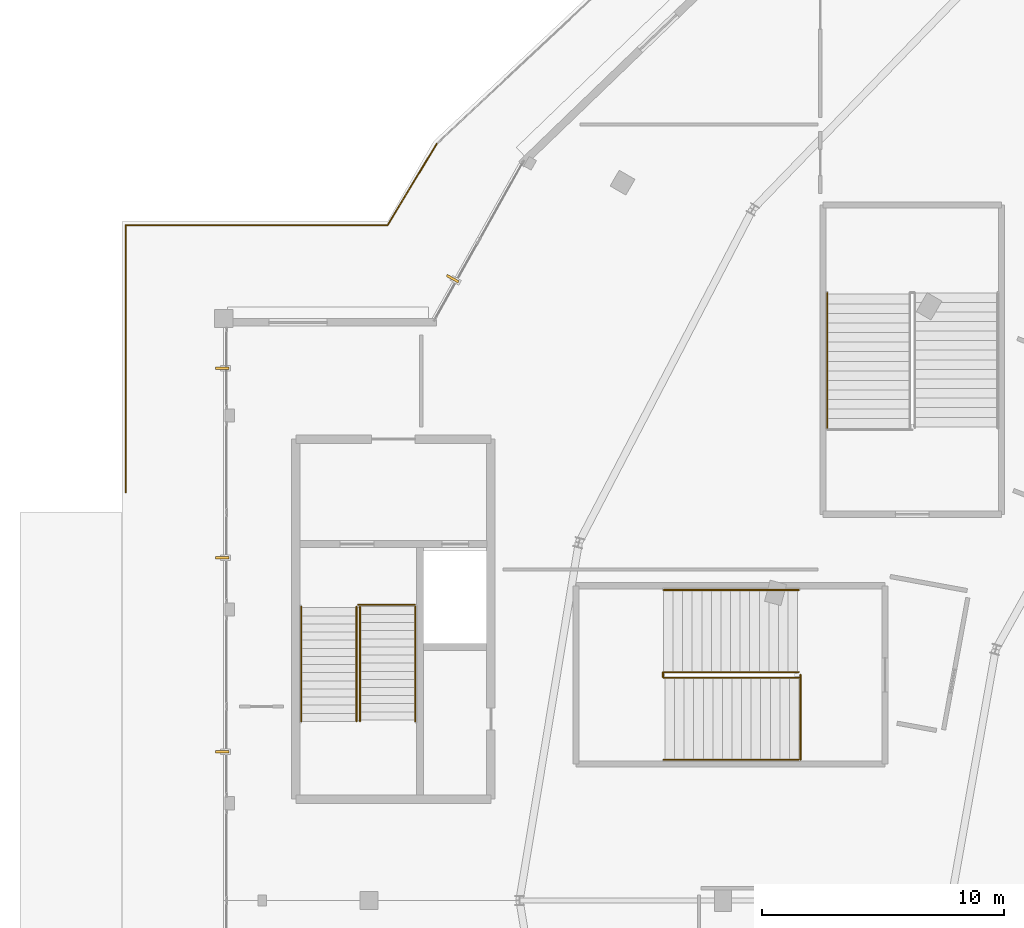
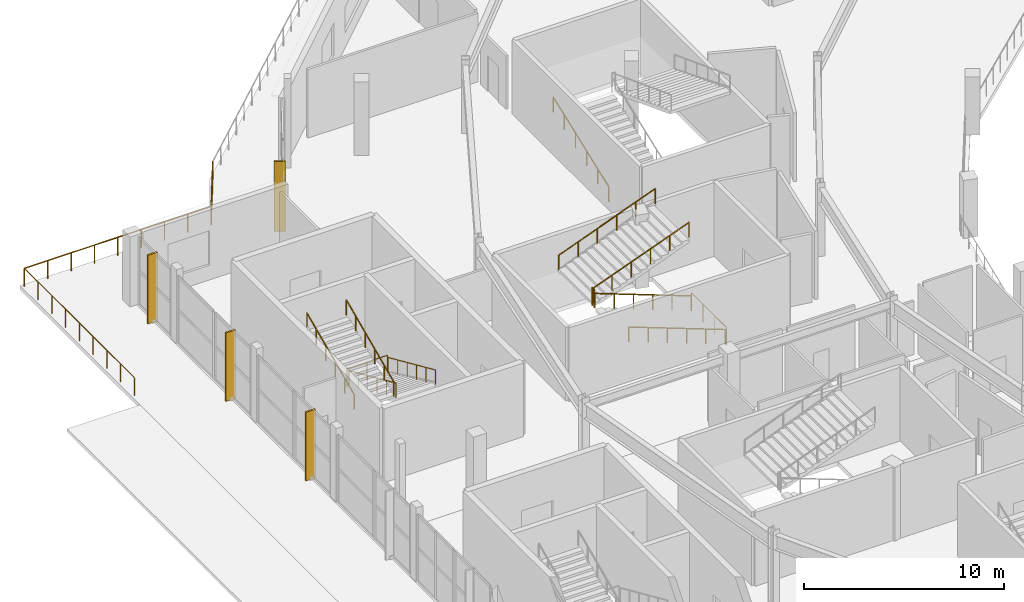
# One storey, part 111 of 123: 15 railings, 4 shading devices.
"""IFC4 building model written with IfcOpenShell, lengths in metres."""

from ifc_helpers import new_model, si_unit, direction, frame, origin, origin_2d, place, context, subcontext, project, spatial, rectangle, circle, extrude, material, layer, layer_set, type_object, element, save


model = new_model("IFC4")

# Units and contexts
model_context = context("Model", 3, precision=1e-05, world=origin(), true_north=direction((0.0, 1.0)))
body_context = subcontext(model_context, "Body", "Model", "MODEL_VIEW")
ifc_project = project(units=[si_unit("LENGTHUNIT", "METRE"), si_unit("AREAUNIT", "SQUARE_METRE"), si_unit("VOLUMEUNIT", "CUBIC_METRE"), si_unit("PLANEANGLEUNIT", "RADIAN"), si_unit("MASSUNIT", "GRAM", prefix="KILO")], contexts=[model_context])

# Site, building, storey
site_placement = place(None, origin())
site = spatial("IfcSite", under=ifc_project, at=site_placement, CompositionType="ELEMENT")
building_placement = place(site_placement, origin())
building = spatial("IfcBuilding", under=site, at=building_placement, Name="Kalgoora Escarpment Arena", CompositionType="ELEMENT")
storey_placement = place(building_placement, frame((0.0, 0.0, 9.89990234375)))
storey = spatial("IfcBuildingStorey", under=building, at=storey_placement, Name="L02", CompositionType="ELEMENT", Elevation=9.89990234375)

# Railings
ifc_material_1 = material(Name="Galvanised & powdercoated tubular steel", Category="steel")
railing_type_1 = type_object("IfcRailingType", Name="RAL-GUARD-1120", PredefinedType="GUARDRAIL", material=ifc_material_1)
railing_1_placement = place(storey_placement, frame((16.2900390625, 76.18994140625, 0.0)))
element("IfcRailing", 1, at=railing_1_placement, inside=storey, type_object=railing_type_1, Name="ST01 L02 floor landing well guard", PredefinedType="GUARDRAIL", context=body_context, shape_type="SweptSolid", body=[
    extrude(circle(Radius=0.02392578125, at=origin_2d()), frame((0.0, 0.0, 1.09619140625), z_axis=(-1.0, 0.0, 0.0), x_axis=(0.0, -1.0, 0.0)), (0.0, 0.0, 1.0), 2.340087890625),
    extrude(circle(Radius=0.02099609375, at=origin_2d()), origin(), (0.0, 0.0, 1.0), 1.072021484375),
    extrude(circle(Radius=0.02099609375, at=origin_2d()), frame((-1.169921875, 0.0, 0.0)), (0.0, 0.0, 1.0), 1.072021484375),
    extrude(circle(Radius=0.02099609375, at=origin_2d()), frame((-2.340087890625, 0.0, 0.0)), (0.0, 0.0, 1.0), 1.072021484375),
])
railing_2_placement = place(storey_placement, frame((26.52001953125, 73.195068359375, 2.25)))
element("IfcRailing", 2, at=railing_2_placement, inside=storey, type_object=railing_type_1, Name="ST17 L02 half-landing well guard", PredefinedType="GUARDRAIL", context=body_context, shape_type="SweptSolid", body=[
    extrude(circle(Radius=0.02392578125, at=origin_2d()), frame((0.0, 0.0, 1.09619140625), z_axis=(0.0, 1.0, 0.0), x_axis=(-1.0, 0.0, 0.0)), (0.0, 0.0, 1.0), 0.2099609375),
    extrude(circle(Radius=0.02099609375, at=origin_2d()), origin(), (0.0, 0.0, 1.0), 1.072021484375),
    extrude(circle(Radius=0.02099609375, at=origin_2d()), frame((0.0, 0.2099609375, 0.0)), (0.0, 0.0, 1.0), 1.072021484375),
])
railing_3_placement = place(storey_placement, frame((32.18994140625, 69.81005859375, 0.0)))
element("IfcRailing", 3, at=railing_3_placement, inside=storey, type_object=railing_type_1, Name="ST17 L02 floor landing well guard", PredefinedType="GUARDRAIL", context=body_context, shape_type="SweptSolid", body=[
    extrude(circle(Radius=0.02392578125, at=origin_2d()), frame((0.0, 0.0, 1.09619140625), z_axis=(0.0, 1.0, 0.0), x_axis=(-1.0, 0.0, 0.0)), (0.0, 0.0, 1.0), 3.489990234375),
    extrude(circle(Radius=0.02099609375, at=origin_2d()), origin(), (0.0, 0.0, 1.0), 1.072021484375),
    extrude(circle(Radius=0.02099609375, at=origin_2d()), frame((0.0, 1.163330078125, 0.0)), (0.0, 0.0, 1.0), 1.072021484375),
    extrude(circle(Radius=0.02099609375, at=origin_2d()), frame((0.0, 2.32666015625, 0.0)), (0.0, 0.0, 1.0), 1.072021484375),
    extrude(circle(Radius=0.02099609375, at=origin_2d()), frame((0.0, 3.489990234375, 0.0)), (0.0, 0.0, 1.0), 1.072021484375),
])
ifc_material_2 = material(Name="Brushed stainless steel 316 handrail", Category="steel")
railing_type_2 = type_object("IfcRailingType", Name="RAL-HAND-920", PredefinedType="HANDRAIL", material=ifc_material_2)
for number, where, name in (
    (4, (16.300048828125, 76.110107421875, 0.110107421875), "ST01 L02 pitched stair handrail F1L"),
    (5, (14.02001953125, 76.110107421875, 0.110107421875), "ST01 L02 pitched stair handrail F1R"),
):
    element("IfcRailing", number, at=place(storey_placement, frame(where)), inside=storey, type_object=railing_type_2, Name=name, PredefinedType="HANDRAIL", context=body_context, shape_type="SweptSolid", body=[
        extrude(circle(Radius=0.02392578125, at=origin_2d()), frame((0.0, 0.0, 0.89599609375), z_axis=(0.0, -0.913651683675, 0.406497971603), x_axis=(1.0, 0.0, 0.0)), (0.0, 0.0, 1.0), 5.166259765625),
        extrude(circle(Radius=0.02099609375, at=origin_2d()), origin(), (0.0, 0.0, 1.0), 0.871826171875),
        extrude(circle(Radius=0.02099609375, at=origin_2d()), frame((0.0, -0.944091796875, 0.419921875)), (0.0, 0.0, 1.0), 0.871826171875),
        extrude(circle(Radius=0.02099609375, at=origin_2d()), frame((0.0, -1.88818359375, 0.840087890625)), (0.0, 0.0, 1.0), 0.871826171875),
        extrude(circle(Radius=0.02099609375, at=origin_2d()), frame((0.0, -2.83203125, 1.260009765625)), (0.0, 0.0, 1.0), 0.871826171875),
        extrude(circle(Radius=0.02099609375, at=origin_2d()), frame((0.0, -3.776123046875, 1.68017578125)), (0.0, 0.0, 1.0), 0.871826171875),
        extrude(circle(Radius=0.02099609375, at=origin_2d()), frame((0.0, -4.72021484375, 2.10009765625)), (0.0, 0.0, 1.0), 0.871826171875),
    ])
for number, where, name in (
    (6, (13.8798828125, 71.389892578125, 2.360107421875), "ST01 L02 pitched stair handrail F2L"),
    (7, (11.60009765625, 71.389892578125, 2.360107421875), "ST01 L02 pitched stair handrail F2R"),
):
    element("IfcRailing", number, at=place(storey_placement, frame(where)), inside=storey, type_object=railing_type_2, Name=name, PredefinedType="HANDRAIL", context=body_context, shape_type="SweptSolid", body=[
        extrude(circle(Radius=0.02392578125, at=origin_2d()), frame((0.0, 0.0, 0.89599609375), z_axis=(0.0, 0.913651683675, 0.406497971603), x_axis=(-1.0, 0.0, 0.0)), (0.0, 0.0, 1.0), 5.166259765625),
        extrude(circle(Radius=0.02099609375, at=origin_2d()), origin(), (0.0, 0.0, 1.0), 0.871826171875),
        extrude(circle(Radius=0.02099609375, at=origin_2d()), frame((0.0, 0.944091796875, 0.419921875)), (0.0, 0.0, 1.0), 0.871826171875),
        extrude(circle(Radius=0.02099609375, at=origin_2d()), frame((0.0, 1.88818359375, 0.840087890625)), (0.0, 0.0, 1.0), 0.871826171875),
        extrude(circle(Radius=0.02099609375, at=origin_2d()), frame((0.0, 2.83203125, 1.260009765625)), (0.0, 0.0, 1.0), 0.871826171875),
        extrude(circle(Radius=0.02099609375, at=origin_2d()), frame((0.0, 3.776123046875, 1.68017578125)), (0.0, 0.0, 1.0), 0.871826171875),
        extrude(circle(Radius=0.02099609375, at=origin_2d()), frame((0.0, 4.72021484375, 2.10009765625)), (0.0, 0.0, 1.0), 0.871826171875),
    ])
for number, where, name in (
    (8, (32.110107421875, 69.800048828125, 0.110107421875), "ST17 L02 pitched stair handrail F1L"),
    (9, (32.110107421875, 73.18505859375, 0.110107421875), "ST17 L02 pitched stair handrail F1R"),
):
    element("IfcRailing", number, at=place(storey_placement, frame(where)), inside=storey, type_object=railing_type_2, Name=name, PredefinedType="HANDRAIL", context=body_context, shape_type="SweptSolid", body=[
        extrude(circle(Radius=0.02392578125, at=origin_2d()), frame((0.0, 0.0, 0.89599609375), z_axis=(-0.935492612948, 0.0, 0.353346248203), x_axis=(0.0, -1.0, 0.0)), (0.0, 0.0, 1.0), 5.943359375),
        extrude(circle(Radius=0.02099609375, at=origin_2d()), origin(), (0.0, 0.0, 1.0), 0.871826171875),
        extrude(circle(Radius=0.02099609375, at=origin_2d()), frame((-1.112060546875, 0.0, 0.419921875)), (0.0, 0.0, 1.0), 0.871826171875),
        extrude(circle(Radius=0.02099609375, at=origin_2d()), frame((-2.22412109375, 0.0, 0.840087890625)), (0.0, 0.0, 1.0), 0.871826171875),
        extrude(circle(Radius=0.02099609375, at=origin_2d()), frame((-3.3359375, 0.0, 1.260009765625)), (0.0, 0.0, 1.0), 0.871826171875),
        extrude(circle(Radius=0.02099609375, at=origin_2d()), frame((-4.447998046875, 0.0, 1.68017578125)), (0.0, 0.0, 1.0), 0.871826171875),
        extrude(circle(Radius=0.02099609375, at=origin_2d()), frame((-5.56005859375, 0.0, 2.10009765625)), (0.0, 0.0, 1.0), 0.871826171875),
    ])
for number, where, name in (
    (10, (26.550048828125, 73.4150390625, 2.360107421875), "ST17 L02 pitched stair handrail F2L"),
    (11, (26.550048828125, 76.800048828125, 2.360107421875), "ST17 L02 pitched stair handrail F2R"),
):
    element("IfcRailing", number, at=place(storey_placement, frame(where)), inside=storey, type_object=railing_type_2, Name=name, PredefinedType="HANDRAIL", context=body_context, shape_type="SweptSolid", body=[
        extrude(circle(Radius=0.02392578125, at=origin_2d()), frame((0.0, 0.0, 0.89599609375), z_axis=(0.935492612948, 0.0, 0.353346248203), x_axis=(0.0, 1.0, 0.0)), (0.0, 0.0, 1.0), 5.943359375),
        extrude(circle(Radius=0.02099609375, at=origin_2d()), origin(), (0.0, 0.0, 1.0), 0.871826171875),
        extrude(circle(Radius=0.02099609375, at=origin_2d()), frame((1.112060546875, 0.0, 0.419921875)), (0.0, 0.0, 1.0), 0.871826171875),
        extrude(circle(Radius=0.02099609375, at=origin_2d()), frame((2.22412109375, 0.0, 0.840087890625)), (0.0, 0.0, 1.0), 0.871826171875),
        extrude(circle(Radius=0.02099609375, at=origin_2d()), frame((3.3359375, 0.0, 1.260009765625)), (0.0, 0.0, 1.0), 0.871826171875),
        extrude(circle(Radius=0.02099609375, at=origin_2d()), frame((4.447998046875, 0.0, 1.68017578125)), (0.0, 0.0, 1.0), 0.871826171875),
        extrude(circle(Radius=0.02099609375, at=origin_2d()), frame((5.56005859375, 0.0, 2.10009765625)), (0.0, 0.0, 1.0), 0.871826171875),
    ])
railing_4_placement = place(storey_placement, frame((33.300048828125, 83.489990234375, 0.110107421875)))
element("IfcRailing", 12, at=railing_4_placement, inside=storey, type_object=railing_type_2, Name="ST19 L02 pitched stair handrail F1L", PredefinedType="HANDRAIL", context=body_context, shape_type="SweptSolid", body=[
    extrude(circle(Radius=0.02392578125, at=origin_2d()), frame((0.0, 0.0, 0.89599609375), z_axis=(0.0, 0.935492612948, 0.353346248203), x_axis=(-1.0, 0.0, 0.0)), (0.0, 0.0, 1.0), 5.943359375),
    extrude(circle(Radius=0.02099609375, at=origin_2d()), origin(), (0.0, 0.0, 1.0), 0.871826171875),
    extrude(circle(Radius=0.02099609375, at=origin_2d()), frame((0.0, 1.112060546875, 0.419921875)), (0.0, 0.0, 1.0), 0.871826171875),
    extrude(circle(Radius=0.02099609375, at=origin_2d()), frame((0.0, 2.22412109375, 0.840087890625)), (0.0, 0.0, 1.0), 0.871826171875),
    extrude(circle(Radius=0.02099609375, at=origin_2d()), frame((0.0, 3.3359375, 1.260009765625)), (0.0, 0.0, 1.0), 0.871826171875),
    extrude(circle(Radius=0.02099609375, at=origin_2d()), frame((0.0, 4.447998046875, 1.68017578125)), (0.0, 0.0, 1.0), 0.871826171875),
    extrude(circle(Radius=0.02099609375, at=origin_2d()), frame((0.0, 5.56005859375, 2.10009765625)), (0.0, 0.0, 1.0), 0.871826171875),
])
ifc_material_3 = material(Name="Champagne anodised aluminium & laminated glass", Category="aluminium")
railing_type_3 = type_object("IfcRailingType", Name="RAL-TERR-1100", PredefinedType="GUARDRAIL", material=ifc_material_3)
railing_5_placement = place(storey_placement, frame((4.360107421875, 80.83447265625, 0.0)))
element("IfcRailing", 13, at=railing_5_placement, inside=storey, type_object=railing_type_3, Name="Middle Planted Elliptical Garden Promenade perimeter guardrail 007", PredefinedType="GUARDRAIL", context=body_context, shape_type="SweptSolid", body=[
    extrude(circle(Radius=0.02392578125, at=origin_2d()), frame((0.0, 0.0, 1.09619140625), z_axis=(0.0, 1.0, 0.0), x_axis=(-1.0, 0.0, 0.0)), (0.0, 0.0, 1.0), 11.005615234375),
    extrude(circle(Radius=0.02099609375, at=origin_2d()), origin(), (0.0, 0.0, 1.0), 1.072021484375),
    extrude(circle(Radius=0.02099609375, at=origin_2d()), frame((0.0, 1.375732421875, 0.0)), (0.0, 0.0, 1.0), 1.072021484375),
    extrude(circle(Radius=0.02099609375, at=origin_2d()), frame((0.0, 2.75146484375, 0.0)), (0.0, 0.0, 1.0), 1.072021484375),
    extrude(circle(Radius=0.02099609375, at=origin_2d()), frame((0.0, 4.127197265625, 0.0)), (0.0, 0.0, 1.0), 1.072021484375),
    extrude(circle(Radius=0.02099609375, at=origin_2d()), frame((0.0, 5.5029296875, 0.0)), (0.0, 0.0, 1.0), 1.072021484375),
    extrude(circle(Radius=0.02099609375, at=origin_2d()), frame((0.0, 6.87841796875, 0.0)), (0.0, 0.0, 1.0), 1.072021484375),
    extrude(circle(Radius=0.02099609375, at=origin_2d()), frame((0.0, 8.254150390625, 0.0)), (0.0, 0.0, 1.0), 1.072021484375),
    extrude(circle(Radius=0.02099609375, at=origin_2d()), frame((0.0, 9.6298828125, 0.0)), (0.0, 0.0, 1.0), 1.072021484375),
    extrude(circle(Radius=0.02099609375, at=origin_2d()), frame((0.0, 11.005615234375, 0.0)), (0.0, 0.0, 1.0), 1.072021484375),
])
railing_6_placement = place(storey_placement, frame((4.360107421875, 91.840087890625, 0.0)))
element("IfcRailing", 14, at=railing_6_placement, inside=storey, type_object=railing_type_3, Name="Middle Planted Elliptical Garden Promenade perimeter guardrail 008", PredefinedType="GUARDRAIL", context=body_context, shape_type="SweptSolid", body=[
    extrude(circle(Radius=0.02392578125, at=origin_2d()), frame((0.0, 0.0, 1.09619140625), z_axis=(1.0, 0.0, 0.0), x_axis=(0.0, 1.0, 0.0)), (0.0, 0.0, 1.0), 10.7958984375),
    extrude(circle(Radius=0.02099609375, at=origin_2d()), origin(), (0.0, 0.0, 1.0), 1.072021484375),
    extrude(circle(Radius=0.02099609375, at=origin_2d()), frame((1.349609375, 0.0, 0.0)), (0.0, 0.0, 1.0), 1.072021484375),
    extrude(circle(Radius=0.02099609375, at=origin_2d()), frame((2.698974609375, 0.0, 0.0)), (0.0, 0.0, 1.0), 1.072021484375),
    extrude(circle(Radius=0.02099609375, at=origin_2d()), frame((4.04833984375, 0.0, 0.0)), (0.0, 0.0, 1.0), 1.072021484375),
    extrude(circle(Radius=0.02099609375, at=origin_2d()), frame((5.39794921875, 0.0, 0.0)), (0.0, 0.0, 1.0), 1.072021484375),
    extrude(circle(Radius=0.02099609375, at=origin_2d()), frame((6.74755859375, 0.0, 0.0)), (0.0, 0.0, 1.0), 1.072021484375),
    extrude(circle(Radius=0.02099609375, at=origin_2d()), frame((8.096923828125, 0.0, 0.0)), (0.0, 0.0, 1.0), 1.072021484375),
    extrude(circle(Radius=0.02099609375, at=origin_2d()), frame((9.4462890625, 0.0, 0.0)), (0.0, 0.0, 1.0), 1.072021484375),
    extrude(circle(Radius=0.02099609375, at=origin_2d()), frame((10.7958984375, 0.0, 0.0)), (0.0, 0.0, 1.0), 1.072021484375),
])
railing_7_placement = place(storey_placement, frame((15.156005859375, 91.840087890625, 0.0)))
element("IfcRailing", 15, at=railing_7_placement, inside=storey, type_object=railing_type_3, Name="Middle Planted Elliptical Garden Promenade perimeter guardrail 009", PredefinedType="GUARDRAIL", context=body_context, shape_type="SweptSolid", body=[
    extrude(circle(Radius=0.02392578125, at=origin_2d()), frame((0.0, 0.0, 1.09619140625), z_axis=(0.516525759281, 0.856271650821, 0.0), x_axis=(-0.856271650821, 0.516525759281, 0.0)), (0.0, 0.0, 1.0), 3.923583984375),
    extrude(circle(Radius=0.02099609375, at=origin_2d()), origin(), (0.0, 0.0, 1.0), 1.072021484375),
    extrude(circle(Radius=0.02099609375, at=origin_2d()), frame((0.675537109375, 1.119873046875, 0.0)), (0.0, 0.0, 1.0), 1.072021484375),
    extrude(circle(Radius=0.02099609375, at=origin_2d()), frame((1.35107421875, 2.23974609375, 0.0)), (0.0, 0.0, 1.0), 1.072021484375),
    extrude(circle(Radius=0.02099609375, at=origin_2d()), frame((2.026611328125, 3.359619140625, 0.0)), (0.0, 0.0, 1.0), 1.072021484375),
])

# Shading devices
ifc_material_4 = material(Name="Champagne anodised extruded aluminium", Category="aluminium")
ifc_layer = layer(ifc_material_4, 0.080078125)
ifc_layer_set = layer_set([ifc_layer], Name="SHD-FIN-CHAMP")
shading_device_type = type_object("IfcShadingDeviceType", Name="SHD-FIN-CHAMP", PredefinedType="USERDEFINED", material=ifc_layer_set)
for number, where, z_axis, x_axis, name in (
    (16, (8.340087890625, 70.132080078125, 0.000244140625), (0.0, 0.0, 1.0), (-1.0, 0.0, 0.0), "L02 champagne anodised solar fin 13"),
    (17, (8.340087890625, 78.132080078125, 0.000244140625), (0.0, 0.0, 1.0), (-1.0, 0.0, 0.0), "L02 champagne anodised solar fin 14"),
    (18, (8.340087890625, 85.945556640625, 0.000244140625), (0.0, 0.0, 1.0), (-1.0, 0.0, 0.0), "L02 champagne anodised solar fin 15"),
):
    element("IfcShadingDevice", number, at=place(storey_placement, frame(where, z_axis=z_axis, x_axis=x_axis)), inside=storey, type_object=shading_device_type, Name=name, ObjectType="FIN", PredefinedType="USERDEFINED", context=body_context, shape_type="SweptSolid", body=[
        extrude(rectangle(XDim=0.56005859375, YDim=0.10009765625, at=origin_2d()), origin(), (0.0, 0.0, 1.0), 4.18994140625),
    ])
shading_device_placement = place(storey_placement, frame((17.844970703125, 89.640625, 0.0), z_axis=(0.0, 0.0, 1.0), x_axis=(-0.872325392932, 0.488925770283, 0.0)))
element("IfcShadingDevice", 19, at=shading_device_placement, inside=storey, type_object=shading_device_type, Name="L02 champagne anodised solar fin 16", ObjectType="FIN", PredefinedType="USERDEFINED", context=body_context, shape_type="SweptSolid", body=[
    extrude(rectangle(XDim=0.56005859375, YDim=0.10009765625, at=origin_2d()), origin(), (0.0, 0.0, 1.0), 4.264892578125),
])

save(model, "model.ifc")
